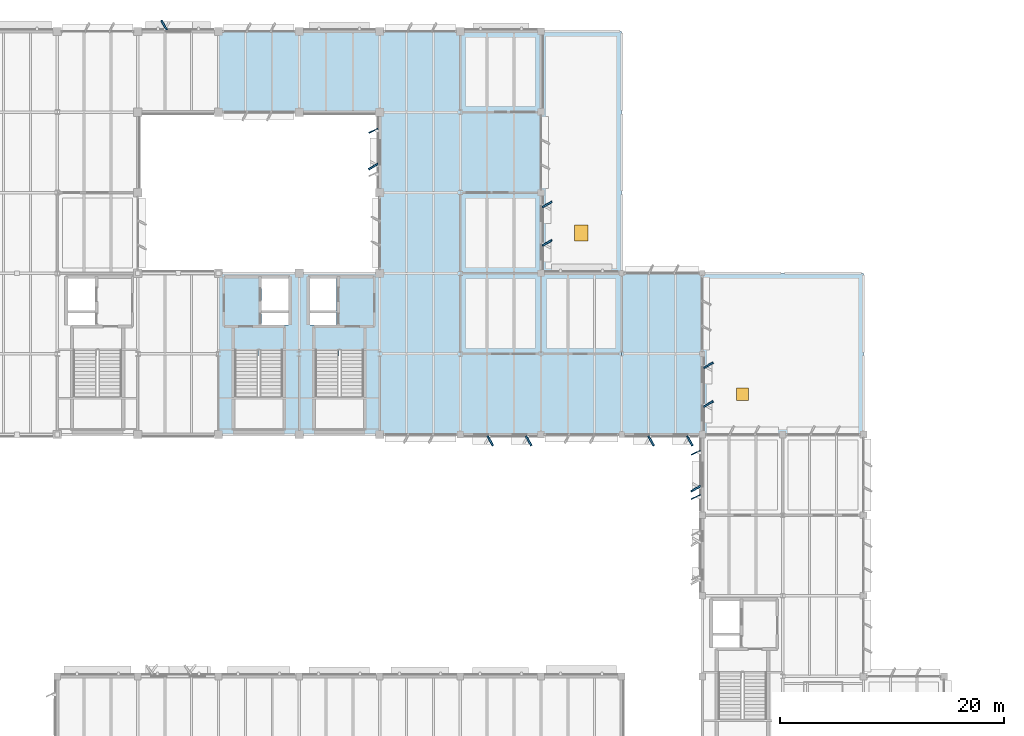
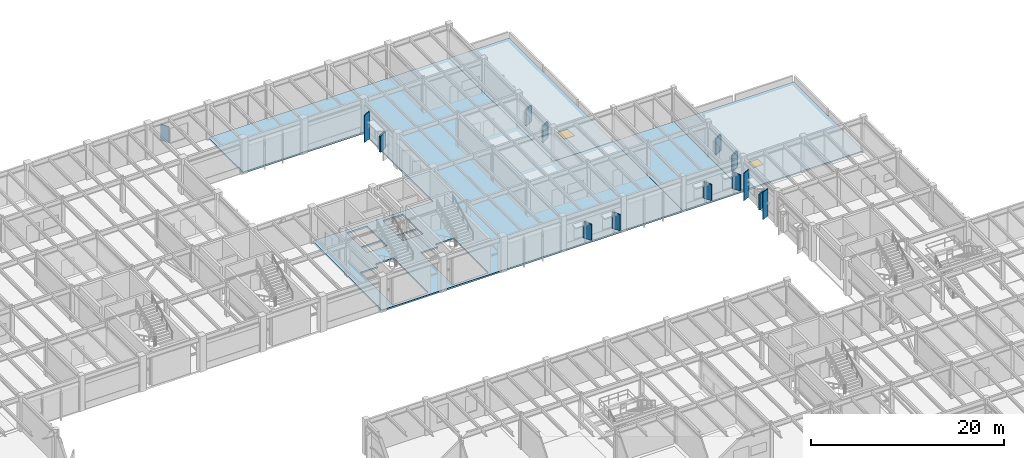
# One storey, part 28 of 92: 14 plates, 4 slabs, 2 doors, 2 openings.
"""IFC4 building model written with IfcOpenShell, lengths in metres."""

import ifcopenshell
import ifcopenshell.guid

model = None  # the IFC model being written
_history = None  # IfcOwnerHistory: only IFC2X3 demands one
_inside = {}  # id of a spatial element -> (the spatial element, [elements in it])
_under = {}  # id of a project, library or spatial element -> (it, [spatial elements below it])
_declared = {}  # id of a project -> (the project, [libraries it declares])
_typed = {}  # id of a type object -> (the type object, [elements of that type])
_made_of = {}  # id of a material, layer set ... -> (it, [elements and type objects made of it])


def new_model(schema):
    """Start an empty IFC model of exactly this schema.

    Asked for "IFC4X3", IfcOpenShell would pick the latest addendum, in which some entities
    have other attributes; the version numbers below select the first issue.
    IFC2X3 requires an IfcOwnerHistory on every rooted entity: one is made here for all.
    """
    global model, _history
    if schema == "IFC4X3":
        model = ifcopenshell.file(schema_version=(4, 3, 0, 0))
    else:
        model = ifcopenshell.file(schema=schema)
    _inside.clear()
    _under.clear()
    _declared.clear()
    _typed.clear()
    _made_of.clear()
    _history = None
    if model.schema == "IFC2X3":
        org = make("IfcOrganization", Name="unknown")
        user = make(
            "IfcPersonAndOrganization",
            ThePerson=make("IfcPerson", FamilyName="unknown"),
            TheOrganization=org,
        )
        app = make(
            "IfcApplication",
            ApplicationDeveloper=org,
            Version="unknown",
            ApplicationFullName="unknown",
            ApplicationIdentifier="unknown",
        )
        _history = make(
            "IfcOwnerHistory",
            OwningUser=user,
            OwningApplication=app,
            ChangeAction="ADDED",
            CreationDate=0,
        )
    return model


def make(cls, **values):
    """One entity of the class cls with the attributes given. An attribute that is None is left unset."""
    return model.create_entity(
        cls, **{name: value for name, value in values.items() if value is not None}
    )


def rooted(cls, **values):
    """An entity with a GlobalId (a new one), such as an element, a storey or a relation."""
    return make(cls, GlobalId=ifcopenshell.guid.new(), OwnerHistory=_history, **values)


def si_unit(unit_type, name, prefix=None):
    """IfcSIUnit, for example si_unit("LENGTHUNIT", "METRE", prefix="MILLI")."""
    return make("IfcSIUnit", UnitType=unit_type, Prefix=prefix, Name=name)


def assignment(units):
    """IfcUnitAssignment: the units of a project."""
    return None if units is None else make("IfcUnitAssignment", Units=units)


def point(xyz):
    """IfcCartesianPoint."""
    return None if xyz is None else make("IfcCartesianPoint", Coordinates=xyz)


def direction(xyz):
    """IfcDirection."""
    return None if xyz is None else make("IfcDirection", DirectionRatios=xyz)


def frame(location, z_axis=None, x_axis=None):
    """IfcAxis2Placement3D, a coordinate frame: its origin and axes. An axis left out is left unset."""
    return make(
        "IfcAxis2Placement3D",
        Location=point(location),
        Axis=direction(z_axis),
        RefDirection=direction(x_axis),
    )


def frame_2d(location, x_axis=None):
    """IfcAxis2Placement2D, a coordinate frame in the plane: its origin and x axis."""
    return make(
        "IfcAxis2Placement2D", Location=point(location), RefDirection=direction(x_axis)
    )


def origin():
    """The frame at (0, 0, 0) with its axes left unset."""
    return frame((0.0, 0.0, 0.0))


def origin_2d():
    """The frame at (0, 0) in the plane with its x axis left unset."""
    return frame_2d((0.0, 0.0))


def place(relative_to, where):
    """IfcLocalPlacement: puts the frame where relative to a parent placement (None: the world)."""
    return make(
        "IfcLocalPlacement", PlacementRelTo=relative_to, RelativePlacement=where
    )


def context(
    kind, dimensions, precision=None, world=None, true_north=None, identifier=None
):
    """IfcGeometricRepresentationContext, for example the 3D "Model" context."""
    return make(
        "IfcGeometricRepresentationContext",
        ContextIdentifier=identifier,
        ContextType=kind,
        CoordinateSpaceDimension=dimensions,
        Precision=precision,
        WorldCoordinateSystem=world,
        TrueNorth=true_north,
    )


def subcontext(parent, identifier, kind, view, scale=None):
    """IfcGeometricRepresentationSubContext, for example "Body" below "Model"."""
    return make(
        "IfcGeometricRepresentationSubContext",
        ContextIdentifier=identifier,
        ContextType=kind,
        ParentContext=parent,
        TargetScale=scale,
        TargetView=view,
    )


def project(units=None, contexts=None):
    """IfcProject with its units and contexts."""
    return rooted(
        "IfcProject",
        Name="project",
        RepresentationContexts=contexts,
        UnitsInContext=assignment(units),
    )


def spatial(cls, under=None, at=None, **own):
    """A site, building, storey or space (cls), placed at a placement, below another one or the project."""
    s = rooted(cls, ObjectPlacement=at, **own)
    if under is not None:
        _under.setdefault(under.id(), (under, []))[1].append(s)
    return s


def polyline(points):
    """IfcPolyline through the points."""
    return make("IfcPolyline", Points=[point(p) for p in points])


def profile(cls, at=None, kind="AREA", **sizes):
    """A parametric profile (cls). Its sizes go by their IFC names, for example OverallWidth=200.0."""
    return make(cls, ProfileType=kind, Position=at, **sizes)


def rectangle(**sizes):
    """IfcRectangleProfileDef."""
    return profile("IfcRectangleProfileDef", **sizes)


def outline(outer, holes=None, kind="AREA"):
    """IfcArbitraryClosedProfileDef: a profile drawn as a closed curve; with holes, ...WithVoids."""
    if holes is None:
        return make("IfcArbitraryClosedProfileDef", ProfileType=kind, OuterCurve=outer)
    return make(
        "IfcArbitraryProfileDefWithVoids",
        ProfileType=kind,
        OuterCurve=outer,
        InnerCurves=holes,
    )


def extrude(swept, where, along, depth):
    """IfcExtrudedAreaSolid: the profile swept, set in the frame where, extruded along a direction by depth."""
    return make(
        "IfcExtrudedAreaSolid",
        SweptArea=swept,
        Position=where,
        ExtrudedDirection=direction(along),
        Depth=depth,
    )


def shape(context_of_items, identifier, shape_type, items):
    """IfcShapeRepresentation: the items that make up one representation, for example the "Body"."""
    return make(
        "IfcShapeRepresentation",
        ContextOfItems=context_of_items,
        RepresentationIdentifier=identifier,
        RepresentationType=shape_type,
        Items=items,
    )


def material(Name=None, Category=None):
    """IfcMaterial."""
    return make("IfcMaterial", Name=Name, Category=Category)


def layer(
    of_material, thickness, ventilated=None, Name=None, Category=None, Priority=None
):
    """IfcMaterialLayer: one layer of a wall or slab, of a material (None: an air gap)."""
    return make(
        "IfcMaterialLayer",
        Material=of_material,
        LayerThickness=thickness,
        IsVentilated=ventilated,
        Name=Name,
        Category=Category,
        Priority=Priority,
    )


def layer_set(layers, Name=None):
    """IfcMaterialLayerSet."""
    return make("IfcMaterialLayerSet", MaterialLayers=layers, LayerSetName=Name)


def made_of(thing, what):
    """Note that an element or type object is made of a material, layer set ...; save() writes the relation."""
    if what is not None:
        _made_of.setdefault(what.id(), (what, []))[1].append(thing)
    return thing


def type_object(cls, material=None, **own):
    """A type object (cls), such as IfcWallType, which elements share."""
    return made_of(rooted(cls, **own), material)


def element(
    cls,
    number,
    at=None,
    inside=None,
    cuts=None,
    type_object=None,
    material=None,
    context=None,
    identifier="Body",
    shape_type=None,
    held_by="IfcProductDefinitionShape",
    body=None,
    shapes=None,
    **own,
):
    """One element of the class cls, such as IfcWall. Its Tag is "e" and its number.

    at: its placement. inside: the storey or other place that contains it. cuts: it is an
    opening in that element (IfcRelVoidsElement). A single representation is given by context,
    identifier, shape_type and body (its items); several are given by shapes. held_by: the class
    of the entity that holds the representations. save() writes the other relations.
    """
    e = rooted(cls, Tag="e%d" % number, ObjectPlacement=at, **own)
    if body is not None:
        shapes = [shape(context, identifier, shape_type, body)]
    if shapes is not None:
        e.Representation = make(held_by, Representations=shapes)
    if inside is not None:
        _inside.setdefault(inside.id(), (inside, []))[1].append(e)
    if cuts is not None:
        rooted(
            "IfcRelVoidsElement", RelatingBuildingElement=cuts, RelatedOpeningElement=e
        )
    if type_object is not None:
        _typed.setdefault(type_object.id(), (type_object, []))[1].append(e)
    return made_of(e, material)


def fill(opening, filler):
    """IfcRelFillsElement: the door or window that sits in an opening."""
    return rooted(
        "IfcRelFillsElement",
        RelatingOpeningElement=opening,
        RelatedBuildingElement=filler,
    )


def aggregate(whole, parts):
    """IfcRelAggregates: a whole, such as a stair, and the parts it consists of."""
    return rooted("IfcRelAggregates", RelatingObject=whole, RelatedObjects=parts)


def save(model, path):
    """Write the relations noted so far, then the file.

    IfcRelAggregates (storeys below a building ...), IfcRelContainedInSpatialStructure (elements
    in a storey), IfcRelDefinesByType, IfcRelAssociatesMaterial and IfcRelDeclares: one each for
    every whole, place, type object, material and project.
    """
    for whole, parts in _under.values():
        aggregate(whole, parts)
    for where, things in _inside.values():
        rooted(
            "IfcRelContainedInSpatialStructure",
            RelatedElements=things,
            RelatingStructure=where,
        )
    for kind, things in _typed.values():
        rooted("IfcRelDefinesByType", RelatedObjects=things, RelatingType=kind)
    for what, things in _made_of.values():
        rooted("IfcRelAssociatesMaterial", RelatedObjects=things, RelatingMaterial=what)
    for by, libraries in _declared.values():
        rooted("IfcRelDeclares", RelatingContext=by, RelatedDefinitions=libraries)
    model.write(path)


model = new_model("IFC4")

# Units and contexts
model_context = context("Model", 3, precision=1e-05, world=origin(), true_north=direction((0.0, 1.0)))
body_context = subcontext(model_context, "Body", "Model", "MODEL_VIEW")
ifc_project = project(units=[si_unit("LENGTHUNIT", "METRE"), si_unit("AREAUNIT", "SQUARE_METRE"), si_unit("VOLUMEUNIT", "CUBIC_METRE"), si_unit("PLANEANGLEUNIT", "RADIAN"), si_unit("MASSUNIT", "GRAM", prefix="KILO")], contexts=[model_context])

# Site, building, storey
site_placement = place(None, origin())
site = spatial("IfcSite", under=ifc_project, at=site_placement, CompositionType="ELEMENT")
building_placement = place(site_placement, origin())
building = spatial("IfcBuilding", under=site, at=building_placement, Name="Sillqori Civic Hall", CompositionType="ELEMENT")
storey_placement = place(building_placement, frame((0.0, 0.0, 5.39990234375)))
storey = spatial("IfcBuildingStorey", under=building, at=storey_placement, Name="L02", CompositionType="ELEMENT", Elevation=5.39990234375)

# Plates
ifc_material_1 = material(Name="Precast concrete C40/50 (H40)", Category="concrete")
ifc_layer_1 = layer(ifc_material_1, 0.159912109375)
ifc_layer_set_1 = layer_set([ifc_layer_1], Name="Precast concrete C40/50 (H40)")
plate_type_1 = type_object("IfcPlateType", Name="FIN-WEST-350", PredefinedType="USERDEFINED", material=ifc_layer_set_1)
for number, where, z_axis, x_axis, name in (
    (1, (93.034912109375, 106.3349609375, 0.14990234375), (0.0, 0.0, 1.0), (-0.422618261741, 0.906307787037, 0.0), "L02 west brise-soleil fin L02-13-14-W.2"),
    (2, (121.824951171875, 73.6201171875, 0.14990234375), (0.0, 0.0, 1.0), (-0.422618261741, 0.906307787037, 0.0), "L02 west brise-soleil fin L02-17-10-W.1"),
    (3, (121.824951171875, 77.580078125, 0.14990234375), (0.0, 0.0, 1.0), (-0.422618261741, 0.906307787037, 0.0), "L02 west brise-soleil fin L02-17-10-W.2"),
):
    element("IfcPlate", number, at=place(storey_placement, frame(where, z_axis=z_axis, x_axis=x_axis)), inside=storey, type_object=plate_type_1, Name=name, ObjectType="SOLAR_FIN", PredefinedType="USERDEFINED", context=body_context, shape_type="SweptSolid", body=[
        extrude(rectangle(XDim=0.090087890625, YDim=0.8798828125, at=origin_2d()), origin(), (0.0, 0.0, 1.0), 3.467041015625),
    ])
ifc_layer_2 = layer(ifc_material_1, 0.159912109375)
ifc_layer_set_2 = layer_set([ifc_layer_2], Name="Precast concrete C40/50 (H40)")
plate_type_2 = type_object("IfcPlateType", Name="REV-SAW-200", PredefinedType="USERDEFINED", material=ifc_layer_set_2)
for number, where, z_axis, x_axis, name in (
    (4, (74.340087890625, 115.760009765625, 0.900146484375), (0.0, 0.0, 1.0), (0.866025403784, 0.5, 0.0), "Sawtooth stone window reveal L02-10-15-N.1"),
    (5, (93.0400390625, 103.139892578125, 0.900146484375), (0.0, 0.0, 1.0), (-0.5, 0.866025403784, 0.0), "Sawtooth stone window reveal L02-13-14-W.1"),
    (6, (106.90087890625, 78.639892578125, 0.875), (0.0, 0.0, 1.0), (-0.866025403784, -0.5, 0.0), "Sawtooth stone window reveal L02-14-11-S.1"),
    (7, (103.468994140625, 78.639892578125, 0.875), (0.0, 0.0, 1.0), (-0.866025403784, -0.5, 0.0), "Sawtooth stone window reveal L02-14-11-S.2"),
    (8, (108.56005859375, 99.7509765625, 0.875), (0.0, 0.0, 1.0), (0.5, -0.866025403784, 0.0), "Sawtooth stone window reveal L02-14-13-E.1"),
    (9, (108.56005859375, 96.319091796875, 0.875), (0.0, 0.0, 1.0), (0.5, -0.866025403784, 0.0), "Sawtooth stone window reveal L02-14-13-E.2"),
    (10, (121.2890625, 78.639892578125, 0.875), (0.0, 0.0, 1.0), (-0.866025403784, -0.5, 0.0), "Sawtooth stone window reveal L02-16-11-S.1"),
    (11, (117.8310546875, 78.639892578125, 0.875), (0.0, 0.0, 1.0), (-0.866025403784, -0.5, 0.0), "Sawtooth stone window reveal L02-16-11-S.2"),
    (12, (122.9599609375, 85.388916015625, 0.875), (0.0, 0.0, 1.0), (0.5, -0.866025403784, 0.0), "Sawtooth stone window reveal L02-16-11-E.1"),
    (13, (122.9599609375, 81.930908203125, 0.875), (0.0, 0.0, 1.0), (0.5, -0.866025403784, 0.0), "Sawtooth stone window reveal L02-16-11-E.2"),
    (14, (121.830078125, 74.364990234375, 0.97509765625), (0.0, 0.0, 1.0), (-0.5, 0.866025403784, 0.0), "Sawtooth stone window reveal L02-17-10-W.1"),
):
    element("IfcPlate", number, at=place(storey_placement, frame(where, z_axis=z_axis, x_axis=x_axis)), inside=storey, type_object=plate_type_2, Name=name, ObjectType="REVEAL_PANEL", PredefinedType="USERDEFINED", context=body_context, shape_type="SweptSolid", body=[
        extrude(rectangle(XDim=0.159912109375, YDim=0.97998046875, at=origin_2d()), origin(), (0.0, 0.0, 1.0), 2.0),
    ])

# Slabs
ifc_material_2 = material(Name="Concrete C30/37 (H30)", Category="concrete")
ifc_layer_3 = layer(ifc_material_2, 0.199951171875)
ifc_layer_set_3 = layer_set([ifc_layer_3], Name="Concrete C30/37 (H30)")
slab_type_1 = type_object("IfcSlabType", Name="SLB-FLR-200", PredefinedType="FLOOR", material=ifc_layer_set_3)
slab_1_placement = place(storey_placement, frame((0.0, 0.0, -0.199951171875)))
element("IfcSlab", 15, at=slab_1_placement, inside=storey, type_object=slab_type_1, Name="L02 V4 composite floor slab 2.1", PredefinedType="FLOOR", context=body_context, shape_type="SweptSolid", body=[
    extrude(outline(polyline([(93.60009765625, 93.60009765625), (93.60009765625, 100.800048828125), (93.60009765625, 108.0), (86.39990234375, 108.0), (79.199951171875, 108.0), (79.199951171875, 115.199951171875), (86.39990234375, 115.199951171875), (93.60009765625, 115.199951171875), (100.800048828125, 115.199951171875), (108.0, 115.199951171875), (108.0, 108.0), (108.0, 100.800048828125), (108.0, 93.60009765625), (115.199951171875, 93.60009765625), (115.199951171875, 86.39990234375), (115.199951171875, 79.199951171875), (108.0, 79.199951171875), (100.800048828125, 79.199951171875), (93.60009765625, 79.199951171875), (86.39990234375, 79.199951171875), (79.199951171875, 79.199951171875), (79.199951171875, 86.39990234375), (79.199951171875, 93.60009765625), (86.39990234375, 93.60009765625), (93.60009765625, 93.60009765625)]), holes=[polyline([(82.760009765625, 86.219970703125), (80.659912109375, 86.219970703125), (80.659912109375, 79.550048828125), (84.93994140625, 79.550048828125), (84.93994140625, 86.77001953125), (82.760009765625, 86.77001953125), (82.760009765625, 86.219970703125)]), polyline([(89.9599609375, 86.219970703125), (87.860107421875, 86.219970703125), (87.860107421875, 79.550048828125), (92.139892578125, 79.550048828125), (92.139892578125, 86.77001953125), (89.9599609375, 86.77001953125), (89.9599609375, 86.219970703125)]), polyline([(85.449951171875, 89.0), (85.449951171875, 90.10009765625), (83.050048828125, 90.10009765625), (83.050048828125, 89.0), (85.449951171875, 89.0)]), polyline([(89.75, 89.0), (89.75, 90.10009765625), (87.35009765625, 90.10009765625), (87.35009765625, 89.0), (89.75, 89.0)]), polyline([(85.449951171875, 90.25), (85.449951171875, 93.14990234375), (83.050048828125, 93.14990234375), (83.050048828125, 90.25), (85.449951171875, 90.25)]), polyline([(89.75, 90.25), (89.75, 93.14990234375), (87.35009765625, 93.14990234375), (87.35009765625, 90.25), (89.75, 90.25)])]), origin(), (0.0, 0.0, 1.0), 0.199951171875),
])
slab_2_placement = place(storey_placement, frame((0.0, 0.0, -0.199951171875)))
element("IfcSlab", 16, at=slab_2_placement, inside=storey, type_object=slab_type_1, Name="L02 V4 composite floor slab 3.1", PredefinedType="FLOOR", context=body_context, shape_type="SweptSolid", body=[
    extrude(outline(polyline([(115.199951171875, 79.199951171875), (115.199951171875, 86.39990234375), (115.199951171875, 93.60009765625), (122.39990234375, 93.60009765625), (122.39990234375, 86.39990234375), (122.39990234375, 79.199951171875), (115.199951171875, 79.199951171875)])), origin(), (0.0, 0.0, 1.0), 0.199951171875),
])

# Slab, opening, door
ifc_layer_4 = layer(ifc_material_2, 0.199951171875)
ifc_layer_set_4 = layer_set([ifc_layer_4], Name="Concrete C30/37 (H30)")
slab_type_2 = type_object("IfcSlabType", Name="SLB-ROOF-200", PredefinedType="ROOF", material=ifc_layer_set_4)
slab_3_placement = place(storey_placement, frame((0.0, 0.0, -0.199951171875)))
slab_3 = element("IfcSlab", 17, at=slab_3_placement, inside=storey, type_object=slab_type_2, Name="L02 flat structural roof over L01 5", PredefinedType="ROOF", context=body_context, shape_type="SweptSolid", body=[
    extrude(outline(polyline([(129.60009765625, 93.60009765625), (136.800048828125, 93.60009765625), (136.800048828125, 86.39990234375), (136.800048828125, 79.199951171875), (129.60009765625, 79.199951171875), (122.39990234375, 79.199951171875), (122.39990234375, 86.39990234375), (122.39990234375, 93.60009765625), (129.60009765625, 93.60009765625)]), holes=[polyline([(125.449951171875, 82.25), (125.449951171875, 83.35009765625), (126.550048828125, 83.35009765625), (126.550048828125, 82.25), (125.449951171875, 82.25)])]), origin(), (0.0, 0.0, 1.0), 0.199951171875),
])
opening_1_placement = place(slab_3_placement, frame((126.0, 82.800048828125, 0.0)))
opening_1 = element("IfcOpeningElement", 18, at=opening_1_placement, cuts=slab_3, Name="Opening TH-01", PredefinedType="OPENING", context=body_context, shape_type="SweptSolid", body=[
    extrude(rectangle(XDim=1.10009765625, YDim=1.10009765625, at=origin_2d()), frame((0.0, 0.0, -0.010009765625)), (0.0, 0.0, 1.0), 0.219970703125),
])
ifc_material_3 = material(Name="Galvanized Insulated Steel", Category="steel")
door_type_1 = type_object("IfcDoorType", Name="TRP-ROOF-110X110", OperationType="NOTDEFINED", PredefinedType="TRAPDOOR", material=ifc_material_3)
door_1_placement = place(opening_1_placement, frame((0.0, 0.0, 0.14990234375)))
door_1 = element("IfcDoor", 19, at=door_1_placement, inside=storey, type_object=door_type_1, Name="L02 maintenance roof access hatch 05", OperationType="SINGLE_SWING_LEFT", OverallHeight=1.10009765625, OverallWidth=1.10009765625, PredefinedType="TRAPDOOR", context=body_context, shape_type="SweptSolid", body=[
    extrude(rectangle(XDim=1.10009765625, YDim=1.10009765625, at=origin_2d()), origin(), (0.0, 0.0, 1.0), 0.050048828125),
])
fill(opening_1, door_1)

slab_4_placement = place(storey_placement, frame((0.0, 0.0, -0.199951171875)))
slab_4 = element("IfcSlab", 20, at=slab_4_placement, inside=storey, type_object=slab_type_2, Name="L02 flat structural roof over L01 6", PredefinedType="ROOF", context=body_context, shape_type="SweptSolid", body=[
    extrude(outline(polyline([(115.199951171875, 115.199951171875), (115.199951171875, 108.0), (115.199951171875, 100.800048828125), (115.199951171875, 93.60009765625), (108.0, 93.60009765625), (108.0, 100.800048828125), (108.0, 108.0), (108.0, 115.199951171875), (115.199951171875, 115.199951171875)]), holes=[polyline([(111.0, 96.5), (111.0, 97.89990234375), (112.199951171875, 97.89990234375), (112.199951171875, 96.5), (111.0, 96.5)])]), origin(), (0.0, 0.0, 1.0), 0.199951171875),
])
opening_2_placement = place(slab_4_placement, frame((111.60009765625, 97.199951171875, 0.0)))
opening_2 = element("IfcOpeningElement", 21, at=opening_2_placement, cuts=slab_4, Name="Opening TH-02", PredefinedType="OPENING", context=body_context, shape_type="SweptSolid", body=[
    extrude(rectangle(XDim=1.199951171875, YDim=1.39990234375, at=origin_2d()), frame((0.0, 0.0, -0.010009765625)), (0.0, 0.0, 1.0), 0.219970703125),
])
door_type_2 = type_object("IfcDoorType", Name="TRP-ROOF-120X140", OperationType="NOTDEFINED", PredefinedType="TRAPDOOR", material=ifc_material_3)
door_2_placement = place(opening_2_placement, frame((0.0, 0.0, 0.14990234375)))
door_2 = element("IfcDoor", 22, at=door_2_placement, inside=storey, type_object=door_type_2, Name="L02 maintenance roof access hatch 06", OperationType="SINGLE_SWING_LEFT", OverallHeight=1.39990234375, OverallWidth=1.199951171875, PredefinedType="TRAPDOOR", context=body_context, shape_type="SweptSolid", body=[
    extrude(rectangle(XDim=1.199951171875, YDim=1.39990234375, at=origin_2d()), origin(), (0.0, 0.0, 1.0), 0.050048828125),
])
fill(opening_2, door_2)

save(model, "model.ifc")
